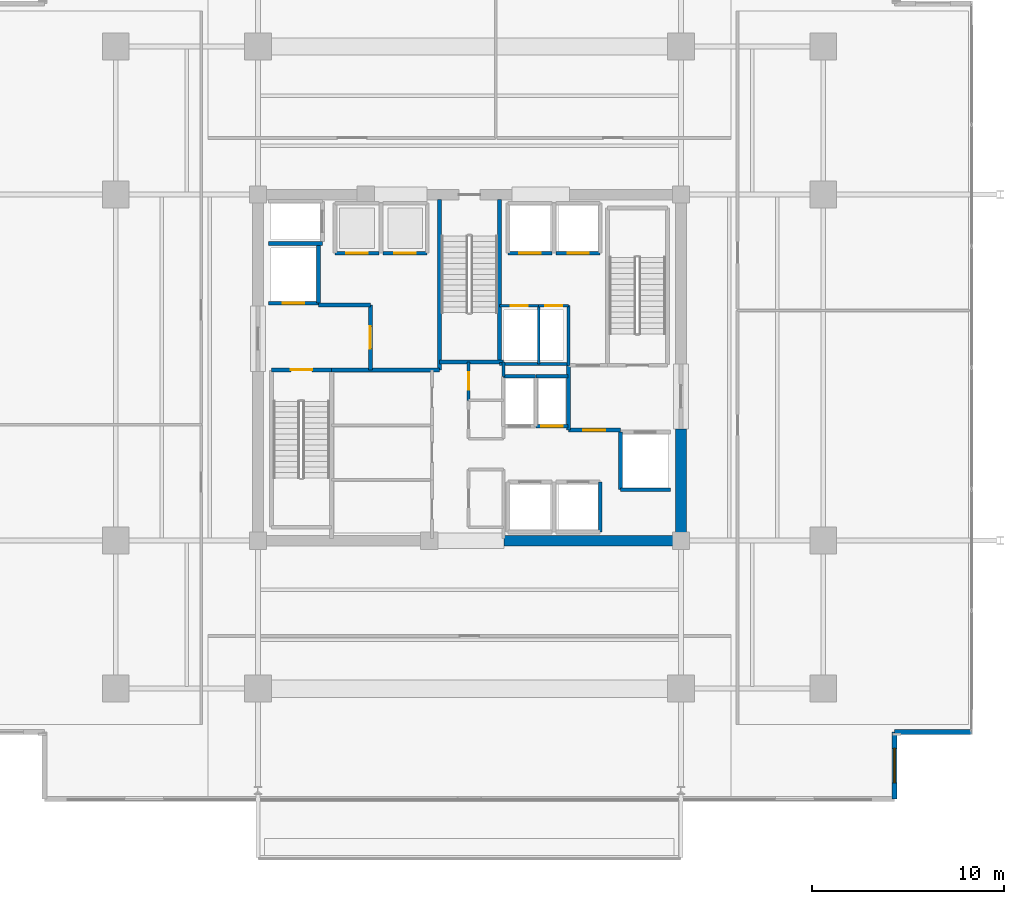
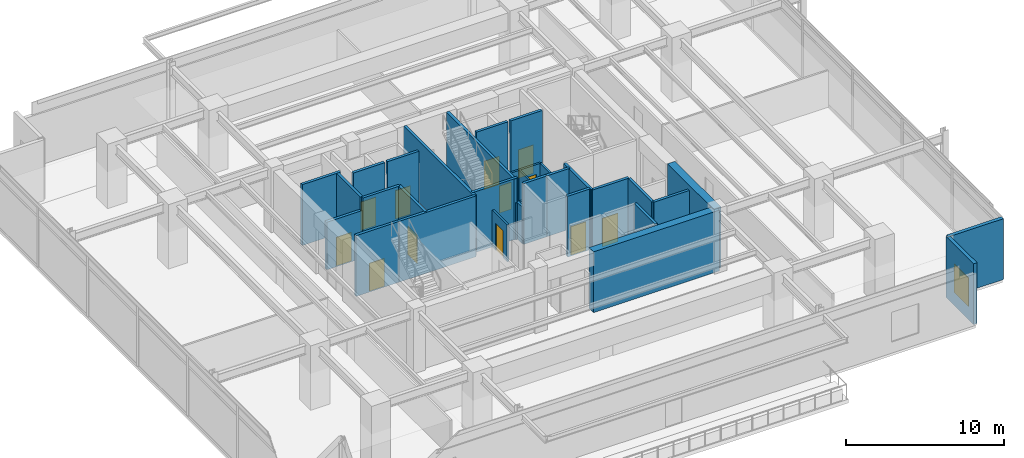
# One storey, part 17 of 25: 33 walls, 12 doors, 1 window, 13 openings.
"""IFC4 building model written with IfcOpenShell, lengths in metres."""

import ifcopenshell
import ifcopenshell.guid

model = None  # the IFC model being written
_history = None  # IfcOwnerHistory: only IFC2X3 demands one
_inside = {}  # id of a spatial element -> (the spatial element, [elements in it])
_under = {}  # id of a project, library or spatial element -> (it, [spatial elements below it])
_declared = {}  # id of a project -> (the project, [libraries it declares])
_typed = {}  # id of a type object -> (the type object, [elements of that type])
_made_of = {}  # id of a material, layer set ... -> (it, [elements and type objects made of it])


def new_model(schema):
    """Start an empty IFC model of exactly this schema.

    Asked for "IFC4X3", IfcOpenShell would pick the latest addendum, in which some entities
    have other attributes; the version numbers below select the first issue.
    IFC2X3 requires an IfcOwnerHistory on every rooted entity: one is made here for all.
    """
    global model, _history
    if schema == "IFC4X3":
        model = ifcopenshell.file(schema_version=(4, 3, 0, 0))
    else:
        model = ifcopenshell.file(schema=schema)
    _inside.clear()
    _under.clear()
    _declared.clear()
    _typed.clear()
    _made_of.clear()
    _history = None
    if model.schema == "IFC2X3":
        org = make("IfcOrganization", Name="unknown")
        user = make(
            "IfcPersonAndOrganization",
            ThePerson=make("IfcPerson", FamilyName="unknown"),
            TheOrganization=org,
        )
        app = make(
            "IfcApplication",
            ApplicationDeveloper=org,
            Version="unknown",
            ApplicationFullName="unknown",
            ApplicationIdentifier="unknown",
        )
        _history = make(
            "IfcOwnerHistory",
            OwningUser=user,
            OwningApplication=app,
            ChangeAction="ADDED",
            CreationDate=0,
        )
    return model


def make(cls, **values):
    """One entity of the class cls with the attributes given. An attribute that is None is left unset."""
    return model.create_entity(
        cls, **{name: value for name, value in values.items() if value is not None}
    )


def rooted(cls, **values):
    """An entity with a GlobalId (a new one), such as an element, a storey or a relation."""
    return make(cls, GlobalId=ifcopenshell.guid.new(), OwnerHistory=_history, **values)


def si_unit(unit_type, name, prefix=None):
    """IfcSIUnit, for example si_unit("LENGTHUNIT", "METRE", prefix="MILLI")."""
    return make("IfcSIUnit", UnitType=unit_type, Prefix=prefix, Name=name)


def assignment(units):
    """IfcUnitAssignment: the units of a project."""
    return None if units is None else make("IfcUnitAssignment", Units=units)


def point(xyz):
    """IfcCartesianPoint."""
    return None if xyz is None else make("IfcCartesianPoint", Coordinates=xyz)


def direction(xyz):
    """IfcDirection."""
    return None if xyz is None else make("IfcDirection", DirectionRatios=xyz)


def frame(location, z_axis=None, x_axis=None):
    """IfcAxis2Placement3D, a coordinate frame: its origin and axes. An axis left out is left unset."""
    return make(
        "IfcAxis2Placement3D",
        Location=point(location),
        Axis=direction(z_axis),
        RefDirection=direction(x_axis),
    )


def frame_2d(location, x_axis=None):
    """IfcAxis2Placement2D, a coordinate frame in the plane: its origin and x axis."""
    return make(
        "IfcAxis2Placement2D", Location=point(location), RefDirection=direction(x_axis)
    )


def origin():
    """The frame at (0, 0, 0) with its axes left unset."""
    return frame((0.0, 0.0, 0.0))


def place(relative_to, where):
    """IfcLocalPlacement: puts the frame where relative to a parent placement (None: the world)."""
    return make(
        "IfcLocalPlacement", PlacementRelTo=relative_to, RelativePlacement=where
    )


def context(
    kind, dimensions, precision=None, world=None, true_north=None, identifier=None
):
    """IfcGeometricRepresentationContext, for example the 3D "Model" context."""
    return make(
        "IfcGeometricRepresentationContext",
        ContextIdentifier=identifier,
        ContextType=kind,
        CoordinateSpaceDimension=dimensions,
        Precision=precision,
        WorldCoordinateSystem=world,
        TrueNorth=true_north,
    )


def subcontext(parent, identifier, kind, view, scale=None):
    """IfcGeometricRepresentationSubContext, for example "Body" below "Model"."""
    return make(
        "IfcGeometricRepresentationSubContext",
        ContextIdentifier=identifier,
        ContextType=kind,
        ParentContext=parent,
        TargetScale=scale,
        TargetView=view,
    )


def project(units=None, contexts=None):
    """IfcProject with its units and contexts."""
    return rooted(
        "IfcProject",
        Name="project",
        RepresentationContexts=contexts,
        UnitsInContext=assignment(units),
    )


def spatial(cls, under=None, at=None, **own):
    """A site, building, storey or space (cls), placed at a placement, below another one or the project."""
    s = rooted(cls, ObjectPlacement=at, **own)
    if under is not None:
        _under.setdefault(under.id(), (under, []))[1].append(s)
    return s


def profile(cls, at=None, kind="AREA", **sizes):
    """A parametric profile (cls). Its sizes go by their IFC names, for example OverallWidth=200.0."""
    return make(cls, ProfileType=kind, Position=at, **sizes)


def rectangle(**sizes):
    """IfcRectangleProfileDef."""
    return profile("IfcRectangleProfileDef", **sizes)


def extrude(swept, where, along, depth):
    """IfcExtrudedAreaSolid: the profile swept, set in the frame where, extruded along a direction by depth."""
    return make(
        "IfcExtrudedAreaSolid",
        SweptArea=swept,
        Position=where,
        ExtrudedDirection=direction(along),
        Depth=depth,
    )


def shape(context_of_items, identifier, shape_type, items):
    """IfcShapeRepresentation: the items that make up one representation, for example the "Body"."""
    return make(
        "IfcShapeRepresentation",
        ContextOfItems=context_of_items,
        RepresentationIdentifier=identifier,
        RepresentationType=shape_type,
        Items=items,
    )


def material(Name=None, Category=None):
    """IfcMaterial."""
    return make("IfcMaterial", Name=Name, Category=Category)


def layer(
    of_material, thickness, ventilated=None, Name=None, Category=None, Priority=None
):
    """IfcMaterialLayer: one layer of a wall or slab, of a material (None: an air gap)."""
    return make(
        "IfcMaterialLayer",
        Material=of_material,
        LayerThickness=thickness,
        IsVentilated=ventilated,
        Name=Name,
        Category=Category,
        Priority=Priority,
    )


def layer_set(layers, Name=None):
    """IfcMaterialLayerSet."""
    return make("IfcMaterialLayerSet", MaterialLayers=layers, LayerSetName=Name)


def made_of(thing, what):
    """Note that an element or type object is made of a material, layer set ...; save() writes the relation."""
    if what is not None:
        _made_of.setdefault(what.id(), (what, []))[1].append(thing)
    return thing


def type_object(cls, material=None, **own):
    """A type object (cls), such as IfcWallType, which elements share."""
    return made_of(rooted(cls, **own), material)


def element(
    cls,
    number,
    at=None,
    inside=None,
    cuts=None,
    type_object=None,
    material=None,
    context=None,
    identifier="Body",
    shape_type=None,
    held_by="IfcProductDefinitionShape",
    body=None,
    shapes=None,
    **own,
):
    """One element of the class cls, such as IfcWall. Its Tag is "e" and its number.

    at: its placement. inside: the storey or other place that contains it. cuts: it is an
    opening in that element (IfcRelVoidsElement). A single representation is given by context,
    identifier, shape_type and body (its items); several are given by shapes. held_by: the class
    of the entity that holds the representations. save() writes the other relations.
    """
    e = rooted(cls, Tag="e%d" % number, ObjectPlacement=at, **own)
    if body is not None:
        shapes = [shape(context, identifier, shape_type, body)]
    if shapes is not None:
        e.Representation = make(held_by, Representations=shapes)
    if inside is not None:
        _inside.setdefault(inside.id(), (inside, []))[1].append(e)
    if cuts is not None:
        rooted(
            "IfcRelVoidsElement", RelatingBuildingElement=cuts, RelatedOpeningElement=e
        )
    if type_object is not None:
        _typed.setdefault(type_object.id(), (type_object, []))[1].append(e)
    return made_of(e, material)


def fill(opening, filler):
    """IfcRelFillsElement: the door or window that sits in an opening."""
    return rooted(
        "IfcRelFillsElement",
        RelatingOpeningElement=opening,
        RelatedBuildingElement=filler,
    )


def aggregate(whole, parts):
    """IfcRelAggregates: a whole, such as a stair, and the parts it consists of."""
    return rooted("IfcRelAggregates", RelatingObject=whole, RelatedObjects=parts)


def save(model, path):
    """Write the relations noted so far, then the file.

    IfcRelAggregates (storeys below a building ...), IfcRelContainedInSpatialStructure (elements
    in a storey), IfcRelDefinesByType, IfcRelAssociatesMaterial and IfcRelDeclares: one each for
    every whole, place, type object, material and project.
    """
    for whole, parts in _under.values():
        aggregate(whole, parts)
    for where, things in _inside.values():
        rooted(
            "IfcRelContainedInSpatialStructure",
            RelatedElements=things,
            RelatingStructure=where,
        )
    for kind, things in _typed.values():
        rooted("IfcRelDefinesByType", RelatedObjects=things, RelatingType=kind)
    for what, things in _made_of.values():
        rooted("IfcRelAssociatesMaterial", RelatedObjects=things, RelatingMaterial=what)
    for by, libraries in _declared.values():
        rooted("IfcRelDeclares", RelatingContext=by, RelatedDefinitions=libraries)
    model.write(path)


model = new_model("IFC4")

# Units and contexts
model_context = context("Model", 3, precision=1e-05, world=origin(), true_north=direction((0.0, 1.0)))
body_context = subcontext(model_context, "Body", "Model", "MODEL_VIEW")
ifc_project = project(units=[si_unit("LENGTHUNIT", "METRE"), si_unit("AREAUNIT", "SQUARE_METRE"), si_unit("VOLUMEUNIT", "CUBIC_METRE"), si_unit("PLANEANGLEUNIT", "RADIAN"), si_unit("MASSUNIT", "GRAM", prefix="KILO")], contexts=[model_context])

# Site, building, storey
site_placement = place(None, origin())
site = spatial("IfcSite", under=ifc_project, at=site_placement, CompositionType="ELEMENT")
building_placement = place(site_placement, origin())
building = spatial("IfcBuilding", under=site, at=building_placement, Name="Kovane Verandah Tower", CompositionType="ELEMENT")
storey_placement = place(building_placement, frame((0.0, 0.0, 233.199951171875)))
storey = spatial("IfcBuildingStorey", under=building, at=storey_placement, Name="L54", CompositionType="ELEMENT", Elevation=233.199951171875)

# Wall
ifc_material_1 = material(Name="Fire-Rated Gypsum Stud Partition", Category="gypsum")
ifc_layer_1 = layer(ifc_material_1, 0.14990234375)
ifc_layer_set_1 = layer_set([ifc_layer_1], Name="Fire-Rated Gypsum Stud Partition")
wall_type_1 = type_object("IfcWallType", Name="WL-COR-150", PredefinedType="PARTITIONING", material=ifc_layer_set_1)
wall_1_placement = place(storey_placement, frame((41.760009765625, 27.050048828125, 0.0), z_axis=(0.0, 0.0, 1.0), x_axis=(0.0, 1.0, 0.0)))
element("IfcWall", 1, at=wall_1_placement, inside=storey, type_object=wall_type_1, Name="L54 Central Core Strip Upper East Wall", PredefinedType="PARTITIONING", context=body_context, shape_type="SweptSolid", body=[
    extrude(rectangle(XDim=0.75, YDim=0.14990234375, at=frame_2d((0.375, 0.0))), origin(), (0.0, 0.0, 1.0), 2.85009765625),
])

# Wall, opening, door
wall_2_placement = place(storey_placement, frame((39.949951171875, 25.800048828125, 0.0), z_axis=(0.0, 0.0, 1.0), x_axis=(0.0, 1.0, 0.0)))
wall_2 = element("IfcWall", 2, at=wall_2_placement, inside=storey, type_object=wall_type_1, Name="L54 Accessible Unisex Toilet Partition", PredefinedType="PARTITIONING", context=body_context, shape_type="SweptSolid", body=[
    extrude(rectangle(XDim=2.0, YDim=0.14990234375, at=frame_2d((1.0, 0.0))), origin(), (0.0, 0.0, 1.0), 2.85009765625),
])
opening_1_placement = place(wall_2_placement, frame((0.550048828125, 0.0, 0.0)))
opening_1 = element("IfcOpeningElement", 3, at=opening_1_placement, cuts=wall_2, Name="Opening DR-L54-021", PredefinedType="OPENING", context=body_context, shape_type="SweptSolid", body=[
    extrude(rectangle(XDim=0.89990234375, YDim=2.10009765625, at=frame_2d((0.449951171875, 1.050048828125))), frame((0.0, 0.074951171875, 0.0), z_axis=(0.0, -1.0, 0.0), x_axis=(1.0, 0.0, 0.0)), (0.0, 0.0, 1.0), 0.14990234375),
])
ifc_material_2 = material(Name="Moisture-Resistant Laminate Washroom Door", Category="wood")
door_type_1 = type_object("IfcDoorType", Name="DR-WC-900", OperationType="SINGLE_SWING_LEFT", PredefinedType="DOOR", material=ifc_material_2)
door_1_placement = place(opening_1_placement, origin())
door_1 = element("IfcDoor", 4, at=door_1_placement, inside=storey, type_object=door_type_1, Name="L54 Accessible Unisex Toilet Door", OperationType="SINGLE_SWING_RIGHT", OverallHeight=2.10009765625, OverallWidth=0.89990234375, PredefinedType="DOOR", context=body_context, shape_type="SweptSolid", body=[
    extrude(rectangle(XDim=0.89990234375, YDim=2.10009765625, at=frame_2d((0.449951171875, 1.050048828125))), frame((0.0, 0.02490234375, 0.0), z_axis=(0.0, -1.0, 0.0), x_axis=(1.0, 0.0, 0.0)), (0.0, 0.0, 1.0), 0.050048828125),
])
fill(opening_1, door_1)

# Walls
wall_3_placement = place(storey_placement, frame((41.56005859375, 27.679931640625, 0.0), z_axis=(0.0, 0.0, 1.0), x_axis=(1.0, 0.0, 0.0)))
element("IfcWall", 5, at=wall_3_placement, inside=storey, type_object=wall_type_1, Name="L54 East Core Service Riser South Wall", PredefinedType="PARTITIONING", context=body_context, shape_type="SweptSolid", body=[
    extrude(rectangle(XDim=3.58984375, YDim=0.14990234375, at=frame_2d((1.794921875, 0.0))), origin(), (0.0, 0.0, 1.0), 2.85009765625),
])
wall_4_placement = place(storey_placement, frame((45.14990234375, 27.6201171875, 0.0), z_axis=(0.0, 0.0, 1.0), x_axis=(0.0, 1.0, 0.0)))
element("IfcWall", 6, at=wall_4_placement, inside=storey, type_object=wall_type_1, Name="L54 East Core Service Riser East Wall", PredefinedType="PARTITIONING", context=body_context, shape_type="SweptSolid", body=[
    extrude(rectangle(XDim=3.099853515625, YDim=0.14990234375, at=frame_2d((1.5498046875, 0.0))), origin(), (0.0, 0.0, 1.0), 2.85009765625),
])

# Wall, opening, door
wall_5_placement = place(storey_placement, frame((41.56005859375, 30.719970703125, 0.0), z_axis=(0.0, 0.0, 1.0), x_axis=(1.0, 0.0, 0.0)))
wall_5 = element("IfcWall", 7, at=wall_5_placement, inside=storey, type_object=wall_type_1, Name="L54 Electrical Sub-Main Riser Room Partition", PredefinedType="PARTITIONING", context=body_context, shape_type="SweptSolid", body=[
    extrude(rectangle(XDim=2.0400390625, YDim=0.14990234375, at=frame_2d((1.02001953125, 0.0))), origin(), (0.0, 0.0, 1.0), 2.85009765625),
])
opening_2_placement = place(wall_5_placement, frame((0.580078125, 0.0, 0.0)))
opening_2 = element("IfcOpeningElement", 8, at=opening_2_placement, cuts=wall_5, Name="Opening DR-L54-016", PredefinedType="OPENING", context=body_context, shape_type="SweptSolid", body=[
    extrude(rectangle(XDim=0.8798828125, YDim=2.10009765625, at=frame_2d((0.43994140625, 1.050048828125))), frame((0.0, 0.074951171875, 0.0), z_axis=(0.0, -1.0, 0.0), x_axis=(1.0, 0.0, 0.0)), (0.0, 0.0, 1.0), 0.14990234375),
])
ifc_material_3 = material(Name="Fire-Rated Steel Riser Access Door", Category="steel")
door_type_2 = type_object("IfcDoorType", Name="DR-RISER-880", OperationType="SINGLE_SWING_LEFT", PredefinedType="DOOR", material=ifc_material_3)
door_2_placement = place(opening_2_placement, origin())
door_2 = element("IfcDoor", 9, at=door_2_placement, inside=storey, type_object=door_type_2, Name="L54 Electrical Sub-Main Riser Room Door", OperationType="SINGLE_SWING_RIGHT", OverallHeight=2.10009765625, OverallWidth=0.8798828125, PredefinedType="DOOR", context=body_context, shape_type="SweptSolid", body=[
    extrude(rectangle(XDim=0.8798828125, YDim=2.10009765625, at=frame_2d((0.43994140625, 1.050048828125))), frame((0.0, 0.02490234375, 0.0), z_axis=(0.0, -1.0, 0.0), x_axis=(1.0, 0.0, 0.0)), (0.0, 0.0, 1.0), 0.050048828125),
])
fill(opening_2, door_2)

wall_6_placement = place(storey_placement, frame((43.60009765625, 30.719970703125, 0.0), z_axis=(0.0, 0.0, 1.0), x_axis=(1.0, 0.0, 0.0)))
wall_6 = element("IfcWall", 10, at=wall_6_placement, inside=storey, type_object=wall_type_1, Name="L54 Sprinkler Wet Riser Room Partition", PredefinedType="PARTITIONING", context=body_context, shape_type="SweptSolid", body=[
    extrude(rectangle(XDim=1.5498046875, YDim=0.14990234375, at=frame_2d((0.77490234375, 0.0))), origin(), (0.0, 0.0, 1.0), 2.85009765625),
])
opening_3_placement = place(wall_6_placement, frame((0.3349609375, 0.0, 0.0)))
opening_3 = element("IfcOpeningElement", 11, at=opening_3_placement, cuts=wall_6, Name="Opening DR-L54-017", PredefinedType="OPENING", context=body_context, shape_type="SweptSolid", body=[
    extrude(rectangle(XDim=0.8798828125, YDim=2.10009765625, at=frame_2d((0.43994140625, 1.050048828125))), frame((0.0, 0.074951171875, 0.0), z_axis=(0.0, -1.0, 0.0), x_axis=(1.0, 0.0, 0.0)), (0.0, 0.0, 1.0), 0.14990234375),
])
door_3_placement = place(opening_3_placement, origin())
door_3 = element("IfcDoor", 12, at=door_3_placement, inside=storey, type_object=door_type_2, Name="L54 Sprinkler Wet Riser Room Door", OperationType="SINGLE_SWING_LEFT", OverallHeight=2.10009765625, OverallWidth=0.8798828125, PredefinedType="DOOR", context=body_context, shape_type="SweptSolid", body=[
    extrude(rectangle(XDim=0.8798828125, YDim=2.10009765625, at=frame_2d((0.43994140625, 1.050048828125))), frame((0.0, 0.02490234375, 0.0), z_axis=(0.0, -1.0, 0.0), x_axis=(1.0, 0.0, 0.0)), (0.0, 0.0, 1.0), 0.050048828125),
])
fill(opening_3, door_3)

# Walls
ifc_material_4 = material(Name="Concrete C60/75", Category="concrete")
ifc_layer_2 = layer(ifc_material_4, 0.550048828125)
ifc_layer_set_2 = layer_set([ifc_layer_2], Name="Concrete C60/75")
wall_type_2 = type_object("IfcWallType", Name="WL-CORE-550", PredefinedType="SHEAR", material=ifc_layer_set_2)
wall_7_placement = place(storey_placement, frame((41.800048828125, 18.5, 0.0), z_axis=(0.0, 0.0, 1.0), x_axis=(1.0, 0.0, 0.0)))
element("IfcWall", 13, at=wall_7_placement, inside=storey, type_object=wall_type_2, Name="L54 Core Shear Wall CS-2", PredefinedType="SHEAR", context=body_context, shape_type="SweptSolid", body=[
    extrude(rectangle(XDim=9.199951171875, YDim=0.550048828125, at=frame_2d((4.60009765625, 0.0))), origin(), (0.0, 0.0, 1.0), 4.699951171875),
])
wall_8_placement = place(storey_placement, frame((51.0, 18.5, 0.0), z_axis=(0.0, 0.0, 1.0), x_axis=(0.0, 1.0, 0.0)))
element("IfcWall", 14, at=wall_8_placement, inside=storey, type_object=wall_type_2, Name="L54 Core Shear Wall CE-1", PredefinedType="SHEAR", context=body_context, shape_type="SweptSolid", body=[
    extrude(rectangle(XDim=5.800048828125, YDim=0.550048828125, at=frame_2d((2.89990234375, 0.0))), origin(), (0.0, 0.0, 1.0), 4.699951171875),
])

# Wall, opening, door
ifc_material_5 = material(Name="Concrete C45/55 Fire Wall", Category="concrete")
ifc_layer_3 = layer(ifc_material_5, 0.199951171875)
ifc_layer_set_3 = layer_set([ifc_layer_3], Name="Concrete C45/55 Fire Wall")
wall_type_3 = type_object("IfcWallType", Name="WL-FFL-200", PredefinedType="PARTITIONING", material=ifc_layer_set_3)
wall_9_placement = place(storey_placement, frame((34.85009765625, 27.3798828125, 0.0), z_axis=(0.0, 0.0, 1.0), x_axis=(0.0, 1.0, 0.0)))
wall_9 = element("IfcWall", 15, at=wall_9_placement, inside=storey, type_object=wall_type_3, Name="W-L54-FFLW-E", PredefinedType="PARTITIONING", context=body_context, shape_type="SweptSolid", body=[
    extrude(rectangle(XDim=3.3701171875, YDim=0.199951171875, at=frame_2d((1.68505859375, 0.0))), origin(), (0.0, 0.0, 1.0), 4.699951171875),
])
opening_4_placement = place(wall_9_placement, frame((1.110107421875, 0.0, 0.0)))
opening_4 = element("IfcOpeningElement", 16, at=opening_4_placement, cuts=wall_9, Name="Opening DR-L54-006", PredefinedType="OPENING", context=body_context, shape_type="SweptSolid", body=[
    extrude(rectangle(XDim=1.14990234375, YDim=2.199951171875, at=frame_2d((0.574951171875, 1.10009765625))), frame((0.0, 0.10009765625, 0.0), z_axis=(0.0, -1.0, 0.0), x_axis=(1.0, 0.0, 0.0)), (0.0, 0.0, 1.0), 0.199951171875),
])
ifc_material_6 = material(Name="Smoke-Sealed Firefighting Lobby Door", Category="steel")
door_type_3 = type_object("IfcDoorType", Name="DR-FFL-1150", OperationType="SINGLE_SWING_LEFT", PredefinedType="DOOR", material=ifc_material_6)
door_4_placement = place(opening_4_placement, origin())
door_4 = element("IfcDoor", 17, at=door_4_placement, inside=storey, type_object=door_type_3, Name="L54 West Firefighting Lobby Inner Door", OperationType="SINGLE_SWING_LEFT", OverallHeight=2.199951171875, OverallWidth=1.14990234375, PredefinedType="DOOR", context=body_context, shape_type="SweptSolid", body=[
    extrude(rectangle(XDim=1.14990234375, YDim=2.199951171875, at=frame_2d((0.574951171875, 1.10009765625))), frame((0.0, 0.02490234375, 0.0), z_axis=(0.0, -1.0, 0.0), x_axis=(1.0, 0.0, 0.0)), (0.0, 0.0, 1.0), 0.050048828125),
])
fill(opening_4, door_4)

# Walls
wall_10_placement = place(storey_placement, frame((32.820068359375, 27.3798828125, 0.0), z_axis=(0.0, 0.0, 1.0), x_axis=(1.0, 0.0, 0.0)))
element("IfcWall", 18, at=wall_10_placement, inside=storey, type_object=wall_type_3, Name="L54 West Firefighting Lobby South Fire Wall", PredefinedType="PARTITIONING", context=body_context, shape_type="SweptSolid", body=[
    extrude(rectangle(XDim=5.619873046875, YDim=0.199951171875, at=frame_2d((2.81005859375, 0.0))), origin(), (0.0, 0.0, 1.0), 4.699951171875),
])
wall_11_placement = place(storey_placement, frame((32.14990234375, 30.75, 0.0), z_axis=(0.0, 0.0, 1.0), x_axis=(1.0, 0.0, 0.0)))
element("IfcWall", 19, at=wall_11_placement, inside=storey, type_object=wall_type_3, Name="L54 West Firefighting Lobby North Fire Wall", PredefinedType="PARTITIONING", context=body_context, shape_type="SweptSolid", body=[
    extrude(rectangle(XDim=2.7001953125, YDim=0.199951171875, at=frame_2d((1.35009765625, 0.0))), origin(), (0.0, 0.0, 1.0), 4.699951171875),
])
wall_12_placement = place(storey_placement, frame((45.14990234375, 24.25, 0.0), z_axis=(0.0, 0.0, 1.0), x_axis=(0.0, 1.0, 0.0)))
element("IfcWall", 20, at=wall_12_placement, inside=storey, type_object=wall_type_3, Name="L54 East Firefighting Lobby West Fire Wall", PredefinedType="PARTITIONING", context=body_context, shape_type="SweptSolid", body=[
    extrude(rectangle(XDim=3.3701171875, YDim=0.199951171875, at=frame_2d((1.68505859375, 0.0))), origin(), (0.0, 0.0, 1.0), 4.699951171875),
])

# Wall, opening, door
wall_13_placement = place(storey_placement, frame((45.14990234375, 24.25, 0.0), z_axis=(0.0, 0.0, 1.0), x_axis=(1.0, 0.0, 0.0)))
wall_13 = element("IfcWall", 21, at=wall_13_placement, inside=storey, type_object=wall_type_3, Name="W-L54-FFLE-S", PredefinedType="PARTITIONING", context=body_context, shape_type="SweptSolid", body=[
    extrude(rectangle(XDim=2.7001953125, YDim=0.199951171875, at=frame_2d((1.35009765625, 0.0))), origin(), (0.0, 0.0, 1.0), 4.699951171875),
])
opening_5_placement = place(wall_13_placement, frame((0.77490234375, 0.0, 0.0)))
opening_5 = element("IfcOpeningElement", 22, at=opening_5_placement, cuts=wall_13, Name="Opening DR-L54-003", PredefinedType="OPENING", context=body_context, shape_type="SweptSolid", body=[
    extrude(rectangle(XDim=1.14990234375, YDim=2.199951171875, at=frame_2d((0.574951171875, 1.10009765625))), frame((0.0, 0.10009765625, 0.0), z_axis=(0.0, -1.0, 0.0), x_axis=(1.0, 0.0, 0.0)), (0.0, 0.0, 1.0), 0.199951171875),
])
door_5_placement = place(opening_5_placement, origin())
door_5 = element("IfcDoor", 23, at=door_5_placement, inside=storey, type_object=door_type_3, Name="L54 East Firefighting Lobby Inner Door", OperationType="SINGLE_SWING_RIGHT", OverallHeight=2.199951171875, OverallWidth=1.14990234375, PredefinedType="DOOR", context=body_context, shape_type="SweptSolid", body=[
    extrude(rectangle(XDim=1.14990234375, YDim=2.199951171875, at=frame_2d((0.574951171875, 1.10009765625))), frame((0.0, 0.02490234375, 0.0), z_axis=(0.0, -1.0, 0.0), x_axis=(1.0, 0.0, 0.0)), (0.0, 0.0, 1.0), 0.050048828125),
])
fill(opening_5, door_5)

ifc_material_7 = material(Name="Concrete C45/55 Lift Shaft Wall", Category="concrete")
ifc_layer_4 = layer(ifc_material_7, 0.199951171875)
ifc_layer_set_4 = layer_set([ifc_layer_4], Name="Concrete C45/55 Lift Shaft Wall")
wall_type_4 = type_object("IfcWallType", Name="WL-LIFT-200", PredefinedType="SOLIDWALL", material=ifc_layer_set_4)
wall_14_placement = place(storey_placement, frame((29.550048828125, 30.85009765625, 0.0), z_axis=(0.0, 0.0, 1.0), x_axis=(1.0, 0.0, 0.0)))
wall_14 = element("IfcWall", 24, at=wall_14_placement, inside=storey, type_object=wall_type_4, Name="L54 Lift FL-01 S Shaft Wall", PredefinedType="SOLIDWALL", context=body_context, shape_type="SweptSolid", body=[
    extrude(rectangle(XDim=2.599853515625, YDim=0.199951171875, at=frame_2d((1.2998046875, 0.0))), origin(), (0.0, 0.0, 1.0), 3.679931640625),
])
opening_6_placement = place(wall_14_placement, frame((0.75, 0.0, 0.0)))
opening_6 = element("IfcOpeningElement", 25, at=opening_6_placement, cuts=wall_14, Name="Opening LD-L54-001", PredefinedType="OPENING", context=body_context, shape_type="SweptSolid", body=[
    extrude(rectangle(XDim=1.10009765625, YDim=2.199951171875, at=frame_2d((0.550048828125, 1.10009765625))), frame((0.0, 0.10009765625, 0.0), z_axis=(0.0, -1.0, 0.0), x_axis=(1.0, 0.0, 0.0)), (0.0, 0.0, 1.0), 0.199951171875),
])
ifc_material_8 = material(Name="Brushed Stainless Steel Sliding Lift Landing Door", Category="steel")
door_type_4 = type_object("IfcDoorType", Name="DR-LIFT-1100", OperationType="SLIDING_TO_RIGHT", PredefinedType="DOOR", material=ifc_material_8)
door_6_placement = place(opening_6_placement, origin())
door_6 = element("IfcDoor", 26, at=door_6_placement, inside=storey, type_object=door_type_4, Name="L54 Lift FL-01 Sliding Landing Door", OperationType="SLIDING_TO_RIGHT", OverallHeight=2.199951171875, OverallWidth=1.10009765625, PredefinedType="DOOR", context=body_context, shape_type="SweptSolid", body=[
    extrude(rectangle(XDim=1.10009765625, YDim=2.199951171875, at=frame_2d((0.550048828125, 1.10009765625))), frame((0.0, 0.02490234375, 0.0), z_axis=(0.0, -1.0, 0.0), x_axis=(1.0, 0.0, 0.0)), (0.0, 0.0, 1.0), 0.050048828125),
])
fill(opening_6, door_6)

# Walls
wall_15_placement = place(storey_placement, frame((29.550048828125, 33.949951171875, 0.0), z_axis=(0.0, 0.0, 1.0), x_axis=(1.0, 0.0, 0.0)))
element("IfcWall", 27, at=wall_15_placement, inside=storey, type_object=wall_type_4, Name="L54 Lift FL-01 and GL-01 Shared Shaft Wall", PredefinedType="SOLIDWALL", context=body_context, shape_type="SweptSolid", body=[
    extrude(rectangle(XDim=2.800048828125, YDim=0.199951171875, at=frame_2d((1.39990234375, 0.0))), origin(), (0.0, 0.0, 1.0), 4.699951171875),
])
wall_16_placement = place(storey_placement, frame((32.14990234375, 30.85009765625, 0.0), z_axis=(0.0, 0.0, 1.0), x_axis=(0.0, 1.0, 0.0)))
element("IfcWall", 28, at=wall_16_placement, inside=storey, type_object=wall_type_4, Name="L54 Lift FL-01 E Shaft Wall", PredefinedType="SOLIDWALL", context=body_context, shape_type="SweptSolid", body=[
    extrude(rectangle(XDim=3.0, YDim=0.199951171875, at=frame_2d((1.5, 0.0))), origin(), (0.0, 0.0, 1.0), 4.699951171875),
])
wall_17_placement = place(storey_placement, frame((47.85009765625, 21.14990234375, 0.0), z_axis=(0.0, 0.0, 1.0), x_axis=(1.0, 0.0, 0.0)))
element("IfcWall", 29, at=wall_17_placement, inside=storey, type_object=wall_type_4, Name="L54 Lift FL-02 S Shaft Wall", PredefinedType="SOLIDWALL", context=body_context, shape_type="SweptSolid", body=[
    extrude(rectangle(XDim=2.599853515625, YDim=0.199951171875, at=frame_2d((1.2998046875, 0.0))), origin(), (0.0, 0.0, 1.0), 4.699951171875),
])
wall_18_placement = place(storey_placement, frame((47.85009765625, 24.14990234375, 0.0), z_axis=(0.0, 0.0, 1.0), x_axis=(0.0, -1.0, 0.0)))
element("IfcWall", 30, at=wall_18_placement, inside=storey, type_object=wall_type_4, Name="L54 Lift FL-02 W Shaft Wall", PredefinedType="SOLIDWALL", context=body_context, shape_type="SweptSolid", body=[
    extrude(rectangle(XDim=3.0, YDim=0.199951171875, at=frame_2d((1.5, 0.0))), origin(), (0.0, 0.0, 1.0), 4.699951171875),
])
wall_19_placement = place(storey_placement, frame((46.800048828125, 18.949951171875, 0.0), z_axis=(0.0, 0.0, 1.0), x_axis=(0.0, 1.0, 0.0)))
element("IfcWall", 31, at=wall_19_placement, inside=storey, type_object=wall_type_4, Name="L54 Lift PL-M2 E Shaft Wall", PredefinedType="SOLIDWALL", context=body_context, shape_type="SweptSolid", body=[
    extrude(rectangle(XDim=2.60009765625, YDim=0.199951171875, at=frame_2d((1.300048828125, 0.0))), origin(), (0.0, 0.0, 1.0), 4.699951171875),
])
wall_20_placement = place(storey_placement, frame((43.43994140625, 27.050048828125, 0.0), z_axis=(0.0, 0.0, 1.0), x_axis=(-1.0, 0.0, 0.0)))
element("IfcWall", 32, at=wall_20_placement, inside=storey, type_object=wall_type_4, Name="L54 Lift PL-M3 N Shaft Wall", PredefinedType="SOLIDWALL", context=body_context, shape_type="SweptSolid", body=[
    extrude(rectangle(XDim=1.679931640625, YDim=0.199951171875, at=frame_2d((0.83984375, 0.0))), origin(), (0.0, 0.0, 1.0), 4.699951171875),
])

# Wall, opening, door
wall_21_placement = place(storey_placement, frame((43.4599609375, 24.449951171875, 0.0), z_axis=(0.0, 0.0, 1.0), x_axis=(1.0, 0.0, 0.0)))
wall_21 = element("IfcWall", 33, at=wall_21_placement, inside=storey, type_object=wall_type_4, Name="L54 Lift PL-M4 S Shaft Wall", PredefinedType="SOLIDWALL", context=body_context, shape_type="SweptSolid", body=[
    extrude(rectangle(XDim=1.66015625, YDim=0.199951171875, at=frame_2d((0.830078125, 0.0))), origin(), (0.0, 0.0, 1.0), 4.699951171875),
])
opening_7_placement = place(wall_21_placement, frame((0.280029296875, 0.0, 0.0)))
opening_7 = element("IfcOpeningElement", 34, at=opening_7_placement, cuts=wall_21, Name="Opening LD-L54-010", PredefinedType="OPENING", context=body_context, shape_type="SweptSolid", body=[
    extrude(rectangle(XDim=1.10009765625, YDim=2.199951171875, at=frame_2d((0.550048828125, 1.10009765625))), frame((0.0, 0.10009765625, 0.0), z_axis=(0.0, -1.0, 0.0), x_axis=(1.0, 0.0, 0.0)), (0.0, 0.0, 1.0), 0.199951171875),
])
door_7_placement = place(opening_7_placement, origin())
door_7 = element("IfcDoor", 35, at=door_7_placement, inside=storey, type_object=door_type_4, Name="L54 Lift PL-M4 Sliding Landing Door", OperationType="SLIDING_TO_RIGHT", OverallHeight=2.199951171875, OverallWidth=1.10009765625, PredefinedType="DOOR", context=body_context, shape_type="SweptSolid", body=[
    extrude(rectangle(XDim=1.10009765625, YDim=2.199951171875, at=frame_2d((0.550048828125, 1.10009765625))), frame((0.0, 0.02490234375, 0.0), z_axis=(0.0, -1.0, 0.0), x_axis=(1.0, 0.0, 0.0)), (0.0, 0.0, 1.0), 0.050048828125),
])
fill(opening_7, door_7)

# Wall
wall_22_placement = place(storey_placement, frame((45.1201171875, 27.050048828125, 0.0), z_axis=(0.0, 0.0, 1.0), x_axis=(-1.0, 0.0, 0.0)))
element("IfcWall", 36, at=wall_22_placement, inside=storey, type_object=wall_type_4, Name="L54 Lift PL-M4 N Shaft Wall", PredefinedType="SOLIDWALL", context=body_context, shape_type="SweptSolid", body=[
    extrude(rectangle(XDim=1.66015625, YDim=0.199951171875, at=frame_2d((0.830078125, 0.0))), origin(), (0.0, 0.0, 1.0), 4.699951171875),
])

# Wall, opening, door
wall_23_placement = place(storey_placement, frame((33.0, 33.449951171875, 0.0), z_axis=(0.0, 0.0, 1.0), x_axis=(1.0, 0.0, 0.0)))
wall_23 = element("IfcWall", 37, at=wall_23_placement, inside=storey, type_object=wall_type_4, Name="L54 Lift PL-H1 S Shaft Wall", PredefinedType="SOLIDWALL", context=body_context, shape_type="SweptSolid", body=[
    extrude(rectangle(XDim=2.300048828125, YDim=0.199951171875, at=frame_2d((1.14990234375, 0.0))), origin(), (0.0, 0.0, 1.0), 4.699951171875),
])
opening_8_placement = place(wall_23_placement, frame((0.60009765625, 0.0, 0.0)))
opening_8 = element("IfcOpeningElement", 38, at=opening_8_placement, cuts=wall_23, Name="Opening LD-L54-005", PredefinedType="OPENING", context=body_context, shape_type="SweptSolid", body=[
    extrude(rectangle(XDim=1.10009765625, YDim=2.199951171875, at=frame_2d((0.550048828125, 1.10009765625))), frame((0.0, 0.10009765625, 0.0), z_axis=(0.0, -1.0, 0.0), x_axis=(1.0, 0.0, 0.0)), (0.0, 0.0, 1.0), 0.199951171875),
])
door_8_placement = place(opening_8_placement, origin())
door_8 = element("IfcDoor", 39, at=door_8_placement, inside=storey, type_object=door_type_4, Name="L54 Lift PL-H1 Sliding Landing Door", OperationType="SLIDING_TO_RIGHT", OverallHeight=2.199951171875, OverallWidth=1.10009765625, PredefinedType="DOOR", context=body_context, shape_type="SweptSolid", body=[
    extrude(rectangle(XDim=1.10009765625, YDim=2.199951171875, at=frame_2d((0.550048828125, 1.10009765625))), frame((0.0, 0.02490234375, 0.0), z_axis=(0.0, -1.0, 0.0), x_axis=(1.0, 0.0, 0.0)), (0.0, 0.0, 1.0), 0.050048828125),
])
fill(opening_8, door_8)

wall_24_placement = place(storey_placement, frame((35.5, 33.449951171875, 0.0), z_axis=(0.0, 0.0, 1.0), x_axis=(1.0, 0.0, 0.0)))
wall_24 = element("IfcWall", 40, at=wall_24_placement, inside=storey, type_object=wall_type_4, Name="L54 Lift PL-H2 S Shaft Wall", PredefinedType="SOLIDWALL", context=body_context, shape_type="SweptSolid", body=[
    extrude(rectangle(XDim=2.300048828125, YDim=0.199951171875, at=frame_2d((1.14990234375, 0.0))), origin(), (0.0, 0.0, 1.0), 4.699951171875),
])
opening_9_placement = place(wall_24_placement, frame((0.60009765625, 0.0, 0.0)))
opening_9 = element("IfcOpeningElement", 41, at=opening_9_placement, cuts=wall_24, Name="Opening LD-L54-006", PredefinedType="OPENING", context=body_context, shape_type="SweptSolid", body=[
    extrude(rectangle(XDim=1.10009765625, YDim=2.199951171875, at=frame_2d((0.550048828125, 1.10009765625))), frame((0.0, 0.10009765625, 0.0), z_axis=(0.0, -1.0, 0.0), x_axis=(1.0, 0.0, 0.0)), (0.0, 0.0, 1.0), 0.199951171875),
])
door_9_placement = place(opening_9_placement, origin())
door_9 = element("IfcDoor", 42, at=door_9_placement, inside=storey, type_object=door_type_4, Name="L54 Lift PL-H2 Sliding Landing Door", OperationType="SLIDING_TO_RIGHT", OverallHeight=2.199951171875, OverallWidth=1.10009765625, PredefinedType="DOOR", context=body_context, shape_type="SweptSolid", body=[
    extrude(rectangle(XDim=1.10009765625, YDim=2.199951171875, at=frame_2d((0.550048828125, 1.10009765625))), frame((0.0, 0.02490234375, 0.0), z_axis=(0.0, -1.0, 0.0), x_axis=(1.0, 0.0, 0.0)), (0.0, 0.0, 1.0), 0.050048828125),
])
fill(opening_9, door_9)

wall_25_placement = place(storey_placement, frame((42.0, 33.449951171875, 0.0), z_axis=(0.0, 0.0, 1.0), x_axis=(1.0, 0.0, 0.0)))
wall_25 = element("IfcWall", 43, at=wall_25_placement, inside=storey, type_object=wall_type_4, Name="L54 Lift SL-01 S Shaft Wall", PredefinedType="SOLIDWALL", context=body_context, shape_type="SweptSolid", body=[
    extrude(rectangle(XDim=2.300048828125, YDim=0.199951171875, at=frame_2d((1.14990234375, 0.0))), origin(), (0.0, 0.0, 1.0), 4.699951171875),
])
opening_10_placement = place(wall_25_placement, frame((0.60009765625, 0.0, 0.0)))
opening_10 = element("IfcOpeningElement", 44, at=opening_10_placement, cuts=wall_25, Name="Opening LD-L54-011", PredefinedType="OPENING", context=body_context, shape_type="SweptSolid", body=[
    extrude(rectangle(XDim=1.10009765625, YDim=2.199951171875, at=frame_2d((0.550048828125, 1.10009765625))), frame((0.0, 0.10009765625, 0.0), z_axis=(0.0, -1.0, 0.0), x_axis=(1.0, 0.0, 0.0)), (0.0, 0.0, 1.0), 0.199951171875),
])
door_10_placement = place(opening_10_placement, origin())
door_10 = element("IfcDoor", 45, at=door_10_placement, inside=storey, type_object=door_type_4, Name="L54 Lift SL-01 Sliding Landing Door", OperationType="SLIDING_TO_RIGHT", OverallHeight=2.199951171875, OverallWidth=1.10009765625, PredefinedType="DOOR", context=body_context, shape_type="SweptSolid", body=[
    extrude(rectangle(XDim=1.10009765625, YDim=2.199951171875, at=frame_2d((0.550048828125, 1.10009765625))), frame((0.0, 0.02490234375, 0.0), z_axis=(0.0, -1.0, 0.0), x_axis=(1.0, 0.0, 0.0)), (0.0, 0.0, 1.0), 0.050048828125),
])
fill(opening_10, door_10)

wall_26_placement = place(storey_placement, frame((44.5, 33.449951171875, 0.0), z_axis=(0.0, 0.0, 1.0), x_axis=(1.0, 0.0, 0.0)))
wall_26 = element("IfcWall", 46, at=wall_26_placement, inside=storey, type_object=wall_type_4, Name="L54 Lift OL-01 S Shaft Wall", PredefinedType="SOLIDWALL", context=body_context, shape_type="SweptSolid", body=[
    extrude(rectangle(XDim=2.300048828125, YDim=0.199951171875, at=frame_2d((1.14990234375, 0.0))), origin(), (0.0, 0.0, 1.0), 4.699951171875),
])
opening_11_placement = place(wall_26_placement, frame((0.60009765625, 0.0, 0.0)))
opening_11 = element("IfcOpeningElement", 47, at=opening_11_placement, cuts=wall_26, Name="Opening LD-L54-004", PredefinedType="OPENING", context=body_context, shape_type="SweptSolid", body=[
    extrude(rectangle(XDim=1.10009765625, YDim=2.199951171875, at=frame_2d((0.550048828125, 1.10009765625))), frame((0.0, 0.10009765625, 0.0), z_axis=(0.0, -1.0, 0.0), x_axis=(1.0, 0.0, 0.0)), (0.0, 0.0, 1.0), 0.199951171875),
])
door_11_placement = place(opening_11_placement, origin())
door_11 = element("IfcDoor", 48, at=door_11_placement, inside=storey, type_object=door_type_4, Name="L54 Lift OL-01 Sliding Landing Door", OperationType="SLIDING_TO_RIGHT", OverallHeight=2.199951171875, OverallWidth=1.10009765625, PredefinedType="DOOR", context=body_context, shape_type="SweptSolid", body=[
    extrude(rectangle(XDim=1.10009765625, YDim=2.199951171875, at=frame_2d((0.550048828125, 1.10009765625))), frame((0.0, 0.02490234375, 0.0), z_axis=(0.0, -1.0, 0.0), x_axis=(1.0, 0.0, 0.0)), (0.0, 0.0, 1.0), 0.050048828125),
])
fill(opening_11, door_11)

# Wall
ifc_material_9 = material(Name="Acoustic Fire-Rated Gypsum Partition", Category="gypsum")
ifc_layer_5 = layer(ifc_material_9, 0.1201171875)
ifc_layer_set_5 = layer_set([ifc_layer_5], Name="Acoustic Fire-Rated Gypsum Partition")
wall_type_5 = type_object("IfcWallType", Name="WL-PART-120", PredefinedType="PARTITIONING", material=ifc_layer_set_5)
wall_27_placement = place(storey_placement, frame((43.60009765625, 27.679931640625, 0.0), z_axis=(0.0, 0.0, 1.0), x_axis=(0.0, 1.0, 0.0)))
element("IfcWall", 49, at=wall_27_placement, inside=storey, type_object=wall_type_5, Name="L54 Service Riser Dividing Partition", PredefinedType="PARTITIONING", context=body_context, shape_type="SweptSolid", body=[
    extrude(rectangle(XDim=3.0400390625, YDim=0.1201171875, at=frame_2d((1.52001953125, 0.0))), origin(), (0.0, 0.0, 1.0), 2.85009765625),
])

# Wall, opening, door
ifc_material_10 = material(Name="Concrete C45/55", Category="concrete")
ifc_layer_6 = layer(ifc_material_10, 0.199951171875)
ifc_layer_set_6 = layer_set([ifc_layer_6], Name="Concrete C45/55")
wall_type_6 = type_object("IfcWallType", Name="WL-SHAFT-200", PredefinedType="SOLIDWALL", material=ifc_layer_set_6)
wall_28_placement = place(storey_placement, frame((29.699951171875, 27.3798828125, 0.0), z_axis=(0.0, 0.0, 1.0), x_axis=(1.0, 0.0, 0.0)))
wall_28 = element("IfcWall", 50, at=wall_28_placement, inside=storey, type_object=wall_type_6, Name="W-L54-ST01-N", PredefinedType="SOLIDWALL", context=body_context, shape_type="SweptSolid", body=[
    extrude(rectangle(XDim=3.1201171875, YDim=0.199951171875, at=frame_2d((1.56005859375, 0.0))), origin(), (0.0, 0.0, 1.0), 4.699951171875),
])
opening_12_placement = place(wall_28_placement, frame((1.010009765625, 0.0, 0.0)))
opening_12 = element("IfcOpeningElement", 51, at=opening_12_placement, cuts=wall_28, Name="Opening DR-L54-008", PredefinedType="OPENING", context=body_context, shape_type="SweptSolid", body=[
    extrude(rectangle(XDim=1.10009765625, YDim=2.14990234375, at=frame_2d((0.550048828125, 1.074951171875))), frame((0.0, 0.10009765625, 0.0), z_axis=(0.0, -1.0, 0.0), x_axis=(1.0, 0.0, 0.0)), (0.0, 0.0, 1.0), 0.199951171875),
])
ifc_material_11 = material(Name="Fire-Rated Steel Exit Door", Category="steel")
door_type_5 = type_object("IfcDoorType", Name="DR-STAIR-1100", OperationType="SINGLE_SWING_LEFT", PredefinedType="DOOR", material=ifc_material_11)
door_12_placement = place(opening_12_placement, origin())
door_12 = element("IfcDoor", 52, at=door_12_placement, inside=storey, type_object=door_type_5, Name="L54 ST-01 Fire Exit Stair Door", OperationType="SINGLE_SWING_LEFT", OverallHeight=2.14990234375, OverallWidth=1.10009765625, PredefinedType="DOOR", context=body_context, shape_type="SweptSolid", body=[
    extrude(rectangle(XDim=1.10009765625, YDim=2.14990234375, at=frame_2d((0.550048828125, 1.074951171875))), frame((0.0, 0.02490234375, 0.0), z_axis=(0.0, -1.0, 0.0), x_axis=(1.0, 0.0, 0.0)), (0.0, 0.0, 1.0), 0.050048828125),
])
fill(opening_12, door_12)

# Walls
wall_29_placement = place(storey_placement, frame((38.43994140625, 27.3798828125, 0.0), z_axis=(0.0, 0.0, 1.0), x_axis=(0.0, 1.0, 0.0)))
element("IfcWall", 53, at=wall_29_placement, inside=storey, type_object=wall_type_6, Name="W-L54-ST03-W", PredefinedType="SOLIDWALL", context=body_context, shape_type="SweptSolid", body=[
    extrude(rectangle(XDim=8.8701171875, YDim=0.199951171875, at=frame_2d((4.43505859375, 0.0))), origin(), (0.0, 0.0, 1.0), 4.699951171875),
])
wall_30_placement = place(storey_placement, frame((41.56005859375, 27.679931640625, 0.0), z_axis=(0.0, 0.0, 1.0), x_axis=(0.0, 1.0, 0.0)))
element("IfcWall", 54, at=wall_30_placement, inside=storey, type_object=wall_type_6, Name="W-L54-ST03-E", PredefinedType="SOLIDWALL", context=body_context, shape_type="SweptSolid", body=[
    extrude(rectangle(XDim=8.570068359375, YDim=0.199951171875, at=frame_2d((4.28515625, 0.0))), origin(), (0.0, 0.0, 1.0), 4.699951171875),
])
wall_31_placement = place(storey_placement, frame((38.43994140625, 27.800048828125, 0.0), z_axis=(0.0, 0.0, 1.0), x_axis=(1.0, 0.0, 0.0)))
element("IfcWall", 55, at=wall_31_placement, inside=storey, type_object=wall_type_6, Name="W-L54-ST03-S", PredefinedType="SOLIDWALL", context=body_context, shape_type="SweptSolid", body=[
    extrude(rectangle(XDim=3.320068359375, YDim=0.199951171875, at=frame_2d((1.66015625, 0.0))), origin(), (0.0, 0.0, 1.0), 4.699951171875),
])

# Wall, opening, window
ifc_material_12 = material(Name="Concrete C45/55 Insulated Spandrel Wall", Category="concrete")
ifc_layer_7 = layer(ifc_material_12, 0.260009765625)
ifc_layer_set_7 = layer_set([ifc_layer_7], Name="Concrete C45/55 Insulated Spandrel Wall")
wall_type_7 = type_object("IfcWallType", Name="WL-SPANDREL-260", PredefinedType="PARAPET", material=ifc_layer_set_7)
wall_32_placement = place(storey_placement, frame((62.107177734375, 5.05029296875, 0.0), z_axis=(0.0, 0.0, 1.0), x_axis=(0.0, 1.0, 0.0)))
wall_32 = element("IfcWall", 56, at=wall_32_placement, inside=storey, type_object=wall_type_7, Name="L54 SE Notch Cheek Wall 1", PredefinedType="PARAPET", context=body_context, shape_type="SweptSolid", body=[
    extrude(rectangle(XDim=3.5, YDim=0.260009765625, at=frame_2d((1.75, 0.0))), origin(), (0.0, 0.0, 1.0), 4.699951171875),
])
opening_13_placement = place(wall_32_placement, frame((0.85009765625, 0.0, 0.85009765625)))
opening_13 = element("IfcOpeningElement", 57, at=opening_13_placement, cuts=wall_32, Name="Opening W-03", PredefinedType="OPENING", context=body_context, shape_type="SweptSolid", body=[
    extrude(rectangle(XDim=1.800048828125, YDim=2.199951171875, at=frame_2d((0.89990234375, 1.10009765625))), frame((0.0, 0.1298828125, 0.0), z_axis=(0.0, -1.0, 0.0), x_axis=(1.0, 0.0, 0.0)), (0.0, 0.0, 1.0), 0.260009765625),
])
ifc_material_13 = material(Name="Clear Low-E Laminated Double Glazing in Anodised Frame", Category="glass")
window_type = type_object("IfcWindowType", Name="WN-NOTCH-1800x2200", PartitioningType="SINGLE_PANEL", PredefinedType="WINDOW", material=ifc_material_13)
window_placement = place(opening_13_placement, origin())
window = element("IfcWindow", 58, at=window_placement, inside=storey, type_object=window_type, Name="L54 SE Re-Entrant Corner Operable Window", OverallHeight=2.199951171875, OverallWidth=1.800048828125, PartitioningType="SINGLE_PANEL", PredefinedType="WINDOW", context=body_context, shape_type="SweptSolid", body=[
    extrude(rectangle(XDim=1.800048828125, YDim=2.199951171875, at=frame_2d((0.89990234375, 1.10009765625))), frame((0.0, 0.030029296875, 0.0), z_axis=(0.0, -1.0, 0.0), x_axis=(1.0, 0.0, 0.0)), (0.0, 0.0, 1.0), 0.06005859375),
])
fill(opening_13, window)

# Wall
wall_33_placement = place(storey_placement, frame((62.107177734375, 8.55029296875, 0.0), z_axis=(0.0, 0.0, 1.0), x_axis=(1.0, 0.0, 0.0)))
element("IfcWall", 59, at=wall_33_placement, inside=storey, type_object=wall_type_7, Name="L54 SE Notch Cheek Wall 2", PredefinedType="PARAPET", context=body_context, shape_type="SweptSolid", body=[
    extrude(rectangle(XDim=4.0, YDim=0.260009765625, at=frame_2d((2.0, 0.0))), origin(), (0.0, 0.0, 1.0), 4.699951171875),
])

save(model, "model.ifc")
